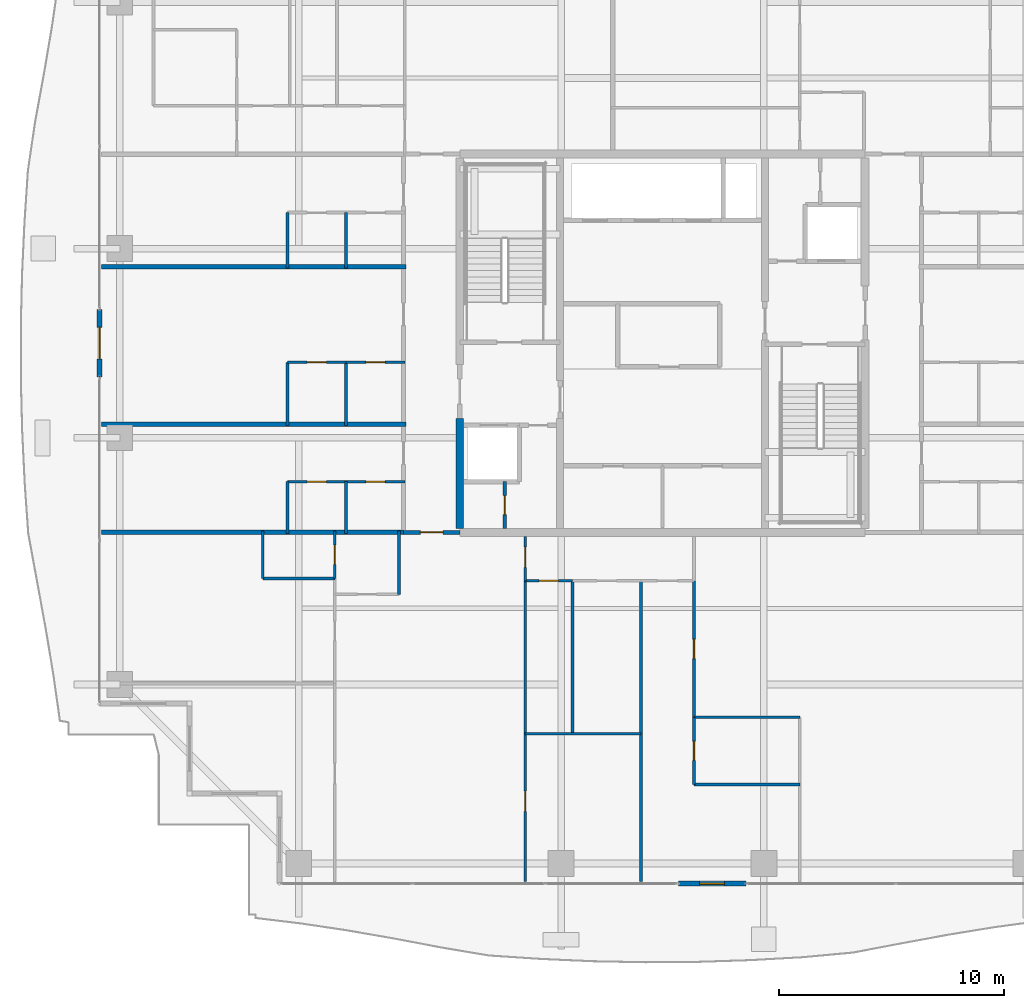
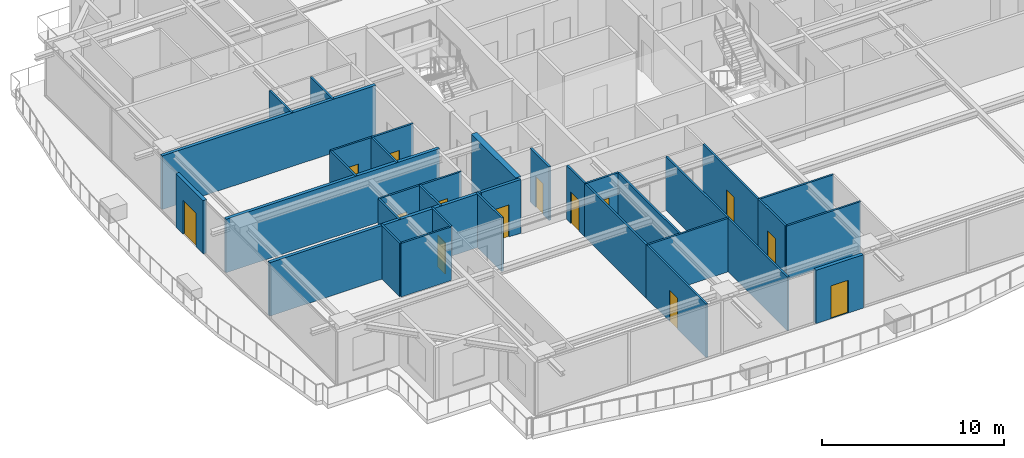
# One storey, part 25 of 36: 33 walls, 14 doors, 14 openings.
"""IFC4 building model written with IfcOpenShell, lengths in metres."""

from ifc_helpers import new_model, si_unit, direction, frame, frame_2d, origin, place, context, subcontext, project, spatial, rectangle, extrude, source, transform, mapped, material, layer, layer_set, type_object, element, fill, save


model = new_model("IFC4")

# Units and contexts
model_context = context("Model", 3, precision=1e-05, world=origin(), true_north=direction((0.0, 1.0)))
body_context = subcontext(model_context, "Body", "Model", "MODEL_VIEW")
ifc_project = project(units=[si_unit("LENGTHUNIT", "METRE"), si_unit("AREAUNIT", "SQUARE_METRE"), si_unit("VOLUMEUNIT", "CUBIC_METRE"), si_unit("PLANEANGLEUNIT", "RADIAN"), si_unit("MASSUNIT", "GRAM", prefix="KILO")], contexts=[model_context])

# Site, building, storey
site_placement = place(None, origin())
site = spatial("IfcSite", under=ifc_project, at=site_placement, CompositionType="ELEMENT")
building_placement = place(site_placement, origin())
building = spatial("IfcBuilding", under=site, at=building_placement, Name="Serunith Strait Residences", CompositionType="ELEMENT")
storey_placement = place(building_placement, frame((0.0, 0.0, 256.64990234375)))
storey = spatial("IfcBuildingStorey", under=building, at=storey_placement, Name="L64", CompositionType="ELEMENT", Elevation=256.64990234375)

# Wall, opening, door
ifc_material_1 = material(Name="Pale-Champagne Aluminium Insulated Panel", Category="aluminium")
ifc_layer_1 = layer(ifc_material_1, 0.219970703125, Name="Pale-Champagne Aluminium Insulated Panel")
ifc_layer_set_1 = layer_set([ifc_layer_1], Name="Pale-Champagne Aluminium Insulated Panel")
wall_type_1 = type_object("IfcWallType", Name="EW-ALUM-220", PredefinedType="ELEMENTEDWALL", material=ifc_layer_set_1)
wall_1_placement = place(storey_placement, frame((33.10009765625, 1.199951171875, 0.0), z_axis=(0.0, 0.0, 1.0), x_axis=(1.0, 0.0, 0.0)))
wall_1 = element("IfcWall", 1, at=wall_1_placement, inside=storey, type_object=wall_type_1, Name="L64 S Facade Pier Wall", PredefinedType="ELEMENTEDWALL", context=body_context, shape_type="SweptSolid", body=[
    extrude(rectangle(XDim=3.0, YDim=0.219970703125, at=frame_2d((1.5, 0.0))), origin(), (0.0, 0.0, 1.0), 3.5751953125),
])
opening_1_placement = place(wall_1_placement, frame((0.949951171875, 0.0, 0.0)))
opening_1 = element("IfcOpeningElement", 2, at=opening_1_placement, cuts=wall_1, Name="Opening ED-03", PredefinedType="OPENING", context=body_context, shape_type="SweptSolid", body=[
    extrude(rectangle(XDim=1.10009765625, YDim=2.199951171875, at=frame_2d((0.550048828125, 1.10009765625))), frame((0.0, 0.1201171875, 0.0), z_axis=(0.0, -1.0, 0.0), x_axis=(1.0, 0.0, 0.0)), (0.0, 0.0, 1.0), 0.239990234375),
])
ifc_material_2 = material(Name="Thermally-Broken Aluminium Glazed Balcony Door", Category="aluminium")
door_type_1 = type_object("IfcDoorType", Name="ED-BALC-1100", OperationType="NOTDEFINED", PredefinedType="DOOR", material=ifc_material_2)
shared_shape_1 = source(origin(), body_context, "Body", "SweptSolid", [
    extrude(rectangle(XDim=1.10009765625, YDim=2.199951171875, at=frame_2d((0.550048828125, 1.10009765625))), frame((0.0, 0.02490234375, 0.0), z_axis=(0.0, -1.0, 0.0), x_axis=(1.0, 0.0, 0.0)), (0.0, 0.0, 1.0), 0.050048828125),
])
door_1_placement = place(opening_1_placement, origin())
door_1 = element("IfcDoor", 3, at=door_1_placement, inside=storey, type_object=door_type_1, Name="L64 S Vertical-Forest Balcony Door", OperationType="SINGLE_SWING_LEFT", OverallHeight=2.199951171875, OverallWidth=1.10009765625, PredefinedType="DOOR", context=body_context, shape_type="MappedRepresentation", body=[
    mapped(shared_shape_1, transform((0.0, 0.0, 0.0), scale=1.0)),
])
fill(opening_1, door_1)

wall_2_placement = place(storey_placement, frame((7.39990234375, 26.699951171875, 0.0), z_axis=(0.0, 0.0, 1.0), x_axis=(0.0, -1.0, 0.0)))
wall_2 = element("IfcWall", 4, at=wall_2_placement, inside=storey, type_object=wall_type_1, Name="L64 W Facade Pier Wall", PredefinedType="ELEMENTEDWALL", context=body_context, shape_type="SweptSolid", body=[
    extrude(rectangle(XDim=3.0, YDim=0.219970703125, at=frame_2d((1.5, 0.0))), origin(), (0.0, 0.0, 1.0), 3.5751953125),
])
opening_2_placement = place(wall_2_placement, frame((0.800048828125, 0.0, 0.0)))
opening_2 = element("IfcOpeningElement", 5, at=opening_2_placement, cuts=wall_2, Name="Opening ED-04", PredefinedType="OPENING", context=body_context, shape_type="SweptSolid", body=[
    extrude(rectangle(XDim=1.39990234375, YDim=2.25, at=frame_2d((0.699951171875, 1.125))), frame((0.0, 0.1201171875, 0.0), z_axis=(0.0, -1.0, 0.0), x_axis=(1.0, 0.0, 0.0)), (0.0, 0.0, 1.0), 0.239990234375),
])
ifc_material_3 = material(Name="Thermally-Broken Aluminium Sliding Balcony Door", Category="aluminium")
door_type_2 = type_object("IfcDoorType", Name="ED-BALC-1400", OperationType="NOTDEFINED", PredefinedType="DOOR", material=ifc_material_3)
shared_shape_2 = source(origin(), body_context, "Body", "SweptSolid", [
    extrude(rectangle(XDim=1.39990234375, YDim=2.25, at=frame_2d((0.699951171875, 1.125))), frame((0.0, 0.02490234375, 0.0), z_axis=(0.0, -1.0, 0.0), x_axis=(1.0, 0.0, 0.0)), (0.0, 0.0, 1.0), 0.050048828125),
])
door_2_placement = place(opening_2_placement, origin())
door_2 = element("IfcDoor", 6, at=door_2_placement, inside=storey, type_object=door_type_2, Name="L64 W Vertical-Forest Balcony Door", OperationType="SLIDING_TO_LEFT", OverallHeight=2.25, OverallWidth=1.39990234375, PredefinedType="DOOR", context=body_context, shape_type="MappedRepresentation", body=[
    mapped(shared_shape_2, transform((0.0, 0.0, 0.0), scale=1.0)),
])
fill(opening_2, door_2)

ifc_material_4 = material(Name="Fire-rated masonry service closet wall", Category="masonry")
ifc_layer_2 = layer(ifc_material_4, 0.14990234375, Name="Fire-rated masonry service closet wall")
ifc_layer_set_2 = layer_set([ifc_layer_2], Name="Fire-rated masonry service closet wall")
wall_type_2 = type_object("IfcWallType", Name="IW-BOH-150", PredefinedType="PARTITIONING", material=ifc_layer_set_2)
wall_3_placement = place(storey_placement, frame((25.39990234375, 16.97509765625, 0.0), z_axis=(0.0, 0.0, 1.0), x_axis=(0.0, 1.0, 0.0)))
wall_3 = element("IfcWall", 7, at=wall_3_placement, inside=storey, type_object=wall_type_2, Name="L64 Partition Wall 011", PredefinedType="PARTITIONING", context=body_context, shape_type="SweptSolid", body=[
    extrude(rectangle(XDim=2.074951171875, YDim=0.14990234375, at=frame_2d((1.03759765625, 0.0))), origin(), (0.0, 0.0, 1.0), 3.590087890625),
])
opening_3_placement = place(wall_3_placement, frame((0.612060546875, 0.0, 0.0)))
opening_3 = element("IfcOpeningElement", 8, at=opening_3_placement, cuts=wall_3, Name="Opening FD-850", PredefinedType="OPENING", context=body_context, shape_type="SweptSolid", body=[
    extrude(rectangle(XDim=0.85009765625, YDim=2.10009765625, at=frame_2d((0.425048828125, 1.050048828125))), frame((0.0, 0.0849609375, 0.0), z_axis=(0.0, -1.0, 0.0), x_axis=(1.0, 0.0, 0.0)), (0.0, 0.0, 1.0), 0.169921875),
])
ifc_material_5 = material(Name="Powder-coated steel service closet door", Category="steel")
door_type_3 = type_object("IfcDoorType", Name="FD-BOH-850", OperationType="NOTDEFINED", PredefinedType="DOOR", material=ifc_material_5)
shared_shape_3 = source(origin(), body_context, "Body", "SweptSolid", [
    extrude(rectangle(XDim=0.85009765625, YDim=2.10009765625, at=frame_2d((0.425048828125, 1.050048828125))), frame((0.0, 0.02490234375, 0.0), z_axis=(0.0, -1.0, 0.0), x_axis=(1.0, 0.0, 0.0)), (0.0, 0.0, 1.0), 0.050048828125),
])
door_3_placement = place(opening_3_placement, origin())
door_3 = element("IfcDoor", 9, at=door_3_placement, inside=storey, type_object=door_type_3, Name="L64 Sprinkler Plant Door", OperationType="SINGLE_SWING_LEFT", OverallHeight=2.10009765625, OverallWidth=0.85009765625, PredefinedType="DOOR", context=body_context, shape_type="MappedRepresentation", body=[
    mapped(shared_shape_3, transform((0.0, 0.0, 0.0), scale=1.0)),
])
fill(opening_3, door_3)

ifc_material_6 = material(Name="Fire-rated acoustic gypsum partition")
ifc_layer_3 = layer(ifc_material_6, 0.179931640625, Name="Fire-rated acoustic gypsum partition")
ifc_layer_set_3 = layer_set([ifc_layer_3], Name="Fire-rated acoustic gypsum partition")
wall_type_3 = type_object("IfcWallType", Name="IW-CORR-180", PredefinedType="PARTITIONING", material=ifc_layer_set_3)
wall_4_placement = place(storey_placement, frame((20.902099609375, 16.800048828125, 0.0), z_axis=(0.0, 0.0, 1.0), x_axis=(1.0, 0.0, 0.0)))
wall_4 = element("IfcWall", 10, at=wall_4_placement, inside=storey, type_object=wall_type_3, Name="L64 Partition Wall 029", PredefinedType="PARTITIONING", context=body_context, shape_type="SweptSolid", body=[
    extrude(rectangle(XDim=2.495849609375, YDim=0.179931640625, at=frame_2d((1.248046875, 0.0))), origin(), (0.0, 0.0, 1.0), 3.590087890625),
])
opening_4_placement = place(wall_4_placement, frame((0.748046875, 0.0, 0.0)))
opening_4 = element("IfcOpeningElement", 11, at=opening_4_placement, cuts=wall_4, Name="Opening D-APT1000", PredefinedType="OPENING", context=body_context, shape_type="SweptSolid", body=[
    extrude(rectangle(XDim=1.0, YDim=2.14990234375, at=frame_2d((0.5, 1.074951171875))), frame((0.0, 0.10009765625, 0.0), z_axis=(0.0, -1.0, 0.0), x_axis=(1.0, 0.0, 0.0)), (0.0, 0.0, 1.0), 0.199951171875),
])
ifc_material_7 = material(Name="Solid timber engineered fire door", Category="wood")
door_type_4 = type_object("IfcDoorType", Name="ID-APT-1000", OperationType="NOTDEFINED", PredefinedType="DOOR", material=ifc_material_7)
shared_shape_4 = source(origin(), body_context, "Body", "SweptSolid", [
    extrude(rectangle(XDim=1.0, YDim=2.14990234375, at=frame_2d((0.5, 1.074951171875))), frame((0.0, 0.02490234375, 0.0), z_axis=(0.0, -1.0, 0.0), x_axis=(1.0, 0.0, 0.0)), (0.0, 0.0, 1.0), 0.050048828125),
])
door_4_placement = place(opening_4_placement, origin())
door_4 = element("IfcDoor", 12, at=door_4_placement, inside=storey, type_object=door_type_4, Name="L64 Unit 01 Entrance Door", OperationType="SINGLE_SWING_RIGHT", OverallHeight=2.14990234375, OverallWidth=1.0, PredefinedType="DOOR", context=body_context, shape_type="MappedRepresentation", body=[
    mapped(shared_shape_4, transform((0.0, 0.0, 0.0), scale=1.0)),
])
fill(opening_4, door_4)

# Walls
ifc_material_8 = material(Name="Lightweight steel-stud gypsum partition", Category="steel")
ifc_layer_4 = layer(ifc_material_8, 0.1201171875, Name="Lightweight steel-stud gypsum partition")
ifc_layer_set_4 = layer_set([ifc_layer_4], Name="Lightweight steel-stud gypsum partition")
wall_type_4 = type_object("IfcWallType", Name="IW-PART-120", PredefinedType="PARTITIONING", material=ifc_layer_set_4)
wall_5_placement = place(storey_placement, frame((20.699951171875, 14.050048828125, 0.0), z_axis=(0.0, 0.0, 1.0), x_axis=(0.0, 1.0, 0.0)))
element("IfcWall", 13, at=wall_5_placement, inside=storey, type_object=wall_type_4, Name="L64 Partition Wall 036", PredefinedType="PARTITIONING", context=body_context, shape_type="SweptSolid", body=[
    extrude(rectangle(XDim=2.81005859375, YDim=0.1201171875, at=frame_2d((1.405029296875, 0.0))), origin(), (0.0, 0.0, 1.0), 3.590087890625),
])
wall_6_placement = place(storey_placement, frame((14.64990234375, 14.75, 0.0), z_axis=(0.0, 0.0, 1.0), x_axis=(1.0, 0.0, 0.0)))
element("IfcWall", 14, at=wall_6_placement, inside=storey, type_object=wall_type_4, Name="L64 Partition Wall 039", PredefinedType="PARTITIONING", context=body_context, shape_type="SweptSolid", body=[
    extrude(rectangle(XDim=3.2001953125, YDim=0.1201171875, at=frame_2d((1.60009765625, 0.0))), origin(), (0.0, 0.0, 1.0), 3.590087890625),
])
wall_7_placement = place(storey_placement, frame((14.64990234375, 14.75, 0.0), z_axis=(0.0, 0.0, 1.0), x_axis=(0.0, 1.0, 0.0)))
element("IfcWall", 15, at=wall_7_placement, inside=storey, type_object=wall_type_4, Name="L64 Partition Wall 040", PredefinedType="PARTITIONING", context=body_context, shape_type="SweptSolid", body=[
    extrude(rectangle(XDim=2.110107421875, YDim=0.1201171875, at=frame_2d((1.05517578125, 0.0))), origin(), (0.0, 0.0, 1.0), 3.590087890625),
])

# Wall, opening, door
wall_8_placement = place(storey_placement, frame((17.85009765625, 14.751953125, 0.0), z_axis=(0.0, 0.0, 1.0), x_axis=(0.0, 1.0, 0.0)))
wall_8 = element("IfcWall", 16, at=wall_8_placement, inside=storey, type_object=wall_type_4, Name="L64 Partition Wall 042", PredefinedType="PARTITIONING", context=body_context, shape_type="SweptSolid", body=[
    extrude(rectangle(XDim=2.108154296875, YDim=0.1201171875, at=frame_2d((1.05419921875, 0.0))), origin(), (0.0, 0.0, 1.0), 3.590087890625),
])
opening_5_placement = place(wall_8_placement, frame((0.62890625, 0.0, 0.0)))
opening_5 = element("IfcOpeningElement", 17, at=opening_5_placement, cuts=wall_8, Name="Opening D-BTH850", PredefinedType="OPENING", context=body_context, shape_type="SweptSolid", body=[
    extrude(rectangle(XDim=0.85009765625, YDim=2.10009765625, at=frame_2d((0.425048828125, 1.050048828125))), frame((0.0, 0.070068359375, 0.0), z_axis=(0.0, -1.0, 0.0), x_axis=(1.0, 0.0, 0.0)), (0.0, 0.0, 1.0), 0.14013671875),
])
ifc_material_9 = material(Name="Moisture-resistant timber bathroom door", Category="wood")
door_type_5 = type_object("IfcDoorType", Name="ID-BATH-850", OperationType="NOTDEFINED", PredefinedType="DOOR", material=ifc_material_9)
door_5_placement = place(opening_5_placement, origin())
door_5 = element("IfcDoor", 18, at=door_5_placement, inside=storey, type_object=door_type_5, Name="L64 Bathroom 6401 Door", OperationType="SINGLE_SWING_RIGHT", OverallHeight=2.10009765625, OverallWidth=0.85009765625, PredefinedType="DOOR", context=body_context, shape_type="MappedRepresentation", body=[
    mapped(shared_shape_3, transform((0.0, 0.0, 0.0), scale=1.0)),
])
fill(opening_5, door_5)

wall_9_placement = place(storey_placement, frame((26.300048828125, 14.64990234375, 0.0), z_axis=(0.0, 0.0, 1.0), x_axis=(0.0, 1.0, 0.0)))
wall_9 = element("IfcWall", 19, at=wall_9_placement, inside=storey, type_object=wall_type_4, Name="L64 Partition Wall 043", PredefinedType="PARTITIONING", context=body_context, shape_type="SweptSolid", body=[
    extrude(rectangle(XDim=1.97509765625, YDim=0.1201171875, at=frame_2d((0.987548828125, 0.0))), origin(), (0.0, 0.0, 1.0), 3.590087890625),
])
opening_6_placement = place(wall_9_placement, frame((0.60107421875, 0.0, 0.0)))
opening_6 = element("IfcOpeningElement", 20, at=opening_6_placement, cuts=wall_9, Name="Opening D-RM900", PredefinedType="OPENING", context=body_context, shape_type="SweptSolid", body=[
    extrude(rectangle(XDim=0.89990234375, YDim=2.10009765625, at=frame_2d((0.449951171875, 1.050048828125))), frame((0.0, 0.070068359375, 0.0), z_axis=(0.0, -1.0, 0.0), x_axis=(1.0, 0.0, 0.0)), (0.0, 0.0, 1.0), 0.14013671875),
])
ifc_material_10 = material(Name="Engineered timber flush bedroom door", Category="wood")
door_type_6 = type_object("IfcDoorType", Name="ID-ROOM-900", OperationType="NOTDEFINED", PredefinedType="DOOR", material=ifc_material_10)
shared_shape_5 = source(origin(), body_context, "Body", "SweptSolid", [
    extrude(rectangle(XDim=0.89990234375, YDim=2.10009765625, at=frame_2d((0.449951171875, 1.050048828125))), frame((0.0, 0.02490234375, 0.0), z_axis=(0.0, -1.0, 0.0), x_axis=(1.0, 0.0, 0.0)), (0.0, 0.0, 1.0), 0.050048828125),
])
door_6_placement = place(opening_6_placement, origin())
door_6 = element("IfcDoor", 21, at=door_6_placement, inside=storey, type_object=door_type_6, Name="L64 Hall E 6401 Door", OperationType="SINGLE_SWING_LEFT", OverallHeight=2.10009765625, OverallWidth=0.89990234375, PredefinedType="DOOR", context=body_context, shape_type="MappedRepresentation", body=[
    mapped(shared_shape_5, transform((0.0, 0.0, 0.0), scale=1.0)),
])
fill(opening_6, door_6)

wall_10_placement = place(storey_placement, frame((26.300048828125, 1.294921875, 0.0), z_axis=(0.0, 0.0, 1.0), x_axis=(0.0, 1.0, 0.0)))
wall_10 = element("IfcWall", 22, at=wall_10_placement, inside=storey, type_object=wall_type_4, Name="L64 Partition Wall 044", PredefinedType="PARTITIONING", context=body_context, shape_type="SweptSolid", body=[
    extrude(rectangle(XDim=6.565185546875, YDim=0.1201171875, at=frame_2d((3.28271484375, 0.0))), origin(), (0.0, 0.0, 1.0), 3.590087890625),
])
opening_7_placement = place(wall_10_placement, frame((3.115966796875, 0.0, 0.0)))
opening_7 = element("IfcOpeningElement", 23, at=opening_7_placement, cuts=wall_10, Name="Opening D-RM900", PredefinedType="OPENING", context=body_context, shape_type="SweptSolid", body=[
    extrude(rectangle(XDim=0.89990234375, YDim=2.10009765625, at=frame_2d((0.449951171875, 1.050048828125))), frame((0.0, 0.070068359375, 0.0), z_axis=(0.0, -1.0, 0.0), x_axis=(1.0, 0.0, 0.0)), (0.0, 0.0, 1.0), 0.14013671875),
])
door_7_placement = place(opening_7_placement, origin())
door_7 = element("IfcDoor", 24, at=door_7_placement, inside=storey, type_object=door_type_6, Name="L64 Formal Dining Room 2 6401 Door", OperationType="SINGLE_SWING_RIGHT", OverallHeight=2.10009765625, OverallWidth=0.89990234375, PredefinedType="DOOR", context=body_context, shape_type="MappedRepresentation", body=[
    mapped(shared_shape_5, transform((0.0, 0.0, 0.0), scale=1.0)),
])
fill(opening_7, door_7)

# Walls
wall_11_placement = place(storey_placement, frame((26.300048828125, 7.862060546875, 0.0), z_axis=(0.0, 0.0, 1.0), x_axis=(0.0, 1.0, 0.0)))
element("IfcWall", 25, at=wall_11_placement, inside=storey, type_object=wall_type_4, Name="L64 Partition Wall 045", PredefinedType="PARTITIONING", context=body_context, shape_type="SweptSolid", body=[
    extrude(rectangle(XDim=6.785888671875, YDim=0.1201171875, at=frame_2d((3.39306640625, 0.0))), origin(), (0.0, 0.0, 1.0), 3.590087890625),
])
wall_12_placement = place(storey_placement, frame((26.300048828125, 7.860107421875, 0.0), z_axis=(0.0, 0.0, 1.0), x_axis=(1.0, 0.0, 0.0)))
element("IfcWall", 26, at=wall_12_placement, inside=storey, type_object=wall_type_4, Name="L64 Partition Wall 046", PredefinedType="PARTITIONING", context=body_context, shape_type="SweptSolid", body=[
    extrude(rectangle(XDim=5.14990234375, YDim=0.1201171875, at=frame_2d((2.574951171875, 0.0))), origin(), (0.0, 0.0, 1.0), 3.590087890625),
])
wall_13_placement = place(storey_placement, frame((31.449951171875, 1.294921875, 0.0), z_axis=(0.0, 0.0, 1.0), x_axis=(0.0, 1.0, 0.0)))
element("IfcWall", 27, at=wall_13_placement, inside=storey, type_object=wall_type_4, Name="L64 Partition Wall 047", PredefinedType="PARTITIONING", context=body_context, shape_type="SweptSolid", body=[
    extrude(rectangle(XDim=13.35498046875, YDim=0.1201171875, at=frame_2d((6.677490234375, 0.0))), origin(), (0.0, 0.0, 1.0), 3.590087890625),
])
wall_14_placement = place(storey_placement, frame((28.39990234375, 7.860107421875, 0.0), z_axis=(0.0, 0.0, 1.0), x_axis=(0.0, 1.0, 0.0)))
element("IfcWall", 28, at=wall_14_placement, inside=storey, type_object=wall_type_4, Name="L64 Partition Wall 048", PredefinedType="PARTITIONING", context=body_context, shape_type="SweptSolid", body=[
    extrude(rectangle(XDim=6.789794921875, YDim=0.1201171875, at=frame_2d((3.39501953125, 0.0))), origin(), (0.0, 0.0, 1.0), 3.590087890625),
])

# Wall, opening, door
wall_15_placement = place(storey_placement, frame((26.300048828125, 14.64990234375, 0.0), z_axis=(0.0, 0.0, 1.0), x_axis=(1.0, 0.0, 0.0)))
wall_15 = element("IfcWall", 29, at=wall_15_placement, inside=storey, type_object=wall_type_4, Name="L64 Partition Wall 049", PredefinedType="PARTITIONING", context=body_context, shape_type="SweptSolid", body=[
    extrude(rectangle(XDim=2.099853515625, YDim=0.1201171875, at=frame_2d((1.0498046875, 0.0))), origin(), (0.0, 0.0, 1.0), 3.590087890625),
])
opening_8_placement = place(wall_15_placement, frame((0.625, 0.0, 0.0)))
opening_8 = element("IfcOpeningElement", 30, at=opening_8_placement, cuts=wall_15, Name="Opening D-RM850", PredefinedType="OPENING", context=body_context, shape_type="SweptSolid", body=[
    extrude(rectangle(XDim=0.85009765625, YDim=2.10009765625, at=frame_2d((0.425048828125, 1.050048828125))), frame((0.0, 0.070068359375, 0.0), z_axis=(0.0, -1.0, 0.0), x_axis=(1.0, 0.0, 0.0)), (0.0, 0.0, 1.0), 0.14013671875),
])
ifc_material_11 = material(Name="Engineered timber flush study and kitchen door", Category="wood")
door_type_7 = type_object("IfcDoorType", Name="ID-ROOM-850", OperationType="NOTDEFINED", PredefinedType="DOOR", material=ifc_material_11)
door_8_placement = place(opening_8_placement, origin())
door_8 = element("IfcDoor", 31, at=door_8_placement, inside=storey, type_object=door_type_7, Name="L64 Study 6401 Door", OperationType="SINGLE_SWING_LEFT", OverallHeight=2.10009765625, OverallWidth=0.85009765625, PredefinedType="DOOR", context=body_context, shape_type="MappedRepresentation", body=[
    mapped(shared_shape_3, transform((0.0, 0.0, 0.0), scale=1.0)),
])
fill(opening_8, door_8)

# Walls
for number, where, z_axis, x_axis, name in (
    (32, (33.800048828125, 5.60888671875, 0.0), (0.0, 0.0, 1.0), (1.0, 0.0, 0.0), "L64 Partition Wall 052"),
    (33, (33.800048828125, 8.587890625, 0.0), (0.0, 0.0, 1.0), (1.0, 0.0, 0.0), "L64 Partition Wall 054"),
):
    element("IfcWall", number, at=place(storey_placement, frame(where, z_axis=z_axis, x_axis=x_axis)), inside=storey, type_object=wall_type_4, Name=name, PredefinedType="PARTITIONING", context=body_context, shape_type="SweptSolid", body=[
        extrude(rectangle(XDim=4.699951171875, YDim=0.1201171875, at=frame_2d((2.35009765625, 0.0))), origin(), (0.0, 0.0, 1.0), 3.590087890625),
    ])

# Wall, opening, door
wall_16_placement = place(storey_placement, frame((33.800048828125, 5.60888671875, 0.0), z_axis=(0.0, 0.0, 1.0), x_axis=(0.0, 1.0, 0.0)))
wall_16 = element("IfcWall", 34, at=wall_16_placement, inside=storey, type_object=wall_type_4, Name="L64 Partition Wall 055", PredefinedType="PARTITIONING", context=body_context, shape_type="SweptSolid", body=[
    extrude(rectangle(XDim=2.97900390625, YDim=0.1201171875, at=frame_2d((1.489501953125, 0.0))), origin(), (0.0, 0.0, 1.0), 3.590087890625),
])
opening_9_placement = place(wall_16_placement, frame((1.06396484375, 0.0, 0.0)))
opening_9 = element("IfcOpeningElement", 35, at=opening_9_placement, cuts=wall_16, Name="Opening D-BTH850", PredefinedType="OPENING", context=body_context, shape_type="SweptSolid", body=[
    extrude(rectangle(XDim=0.85009765625, YDim=2.10009765625, at=frame_2d((0.425048828125, 1.050048828125))), frame((0.0, 0.070068359375, 0.0), z_axis=(0.0, -1.0, 0.0), x_axis=(1.0, 0.0, 0.0)), (0.0, 0.0, 1.0), 0.14013671875),
])
door_9_placement = place(opening_9_placement, origin())
door_9 = element("IfcDoor", 36, at=door_9_placement, inside=storey, type_object=door_type_5, Name="L64 En-suite Bathroom E 6401 Door", OperationType="SINGLE_SWING_RIGHT", OverallHeight=2.10009765625, OverallWidth=0.85009765625, PredefinedType="DOOR", context=body_context, shape_type="MappedRepresentation", body=[
    mapped(shared_shape_3, transform((0.0, 0.0, 0.0), scale=1.0)),
])
fill(opening_9, door_9)

wall_17_placement = place(storey_placement, frame((33.800048828125, 8.590087890625, 0.0), z_axis=(0.0, 0.0, 1.0), x_axis=(0.0, 1.0, 0.0)))
wall_17 = element("IfcWall", 37, at=wall_17_placement, inside=storey, type_object=wall_type_4, Name="L64 Partition Wall 056", PredefinedType="PARTITIONING", context=body_context, shape_type="SweptSolid", body=[
    extrude(rectangle(XDim=6.059814453125, YDim=0.1201171875, at=frame_2d((3.02978515625, 0.0))), origin(), (0.0, 0.0, 1.0), 3.590087890625),
])
opening_10_placement = place(wall_17_placement, frame((2.60498046875, 0.0, 0.0)))
opening_10 = element("IfcOpeningElement", 38, at=opening_10_placement, cuts=wall_17, Name="Opening D-RM850", PredefinedType="OPENING", context=body_context, shape_type="SweptSolid", body=[
    extrude(rectangle(XDim=0.85009765625, YDim=2.10009765625, at=frame_2d((0.425048828125, 1.050048828125))), frame((0.0, 0.070068359375, 0.0), z_axis=(0.0, -1.0, 0.0), x_axis=(1.0, 0.0, 0.0)), (0.0, 0.0, 1.0), 0.14013671875),
])
door_10_placement = place(opening_10_placement, origin())
door_10 = element("IfcDoor", 39, at=door_10_placement, inside=storey, type_object=door_type_7, Name="L64 Wardrobe E 6401 Door", OperationType="SINGLE_SWING_LEFT", OverallHeight=2.10009765625, OverallWidth=0.85009765625, PredefinedType="DOOR", context=body_context, shape_type="MappedRepresentation", body=[
    mapped(shared_shape_3, transform((0.0, 0.0, 0.0), scale=1.0)),
])
fill(opening_10, door_10)

wall_18_placement = place(storey_placement, frame((15.75, 19.050048828125, 0.0), z_axis=(0.0, 0.0, 1.0), x_axis=(1.0, 0.0, 0.0)))
wall_18 = element("IfcWall", 40, at=wall_18_placement, inside=storey, type_object=wall_type_4, Name="L64 Partition Wall 085", PredefinedType="PARTITIONING", context=body_context, shape_type="SweptSolid", body=[
    extrude(rectangle(XDim=2.60009765625, YDim=0.1201171875, at=frame_2d((1.300048828125, 0.0))), origin(), (0.0, 0.0, 1.0), 3.590087890625),
])
opening_11_placement = place(wall_18_placement, frame((0.875, 0.0, 0.0)))
opening_11 = element("IfcOpeningElement", 41, at=opening_11_placement, cuts=wall_18, Name="Opening D-RM850", PredefinedType="OPENING", context=body_context, shape_type="SweptSolid", body=[
    extrude(rectangle(XDim=0.85009765625, YDim=2.10009765625, at=frame_2d((0.425048828125, 1.050048828125))), frame((0.0, 0.070068359375, 0.0), z_axis=(0.0, -1.0, 0.0), x_axis=(1.0, 0.0, 0.0)), (0.0, 0.0, 1.0), 0.14013671875),
])
door_11_placement = place(opening_11_placement, origin())
door_11 = element("IfcDoor", 42, at=door_11_placement, inside=storey, type_object=door_type_7, Name="L64 Kitchen 6404 Door", OperationType="SINGLE_SWING_RIGHT", OverallHeight=2.10009765625, OverallWidth=0.85009765625, PredefinedType="DOOR", context=body_context, shape_type="MappedRepresentation", body=[
    mapped(shared_shape_3, transform((0.0, 0.0, 0.0), scale=1.0)),
])
fill(opening_11, door_11)

wall_19_placement = place(storey_placement, frame((18.35205078125, 19.050048828125, 0.0), z_axis=(0.0, 0.0, 1.0), x_axis=(1.0, 0.0, 0.0)))
wall_19 = element("IfcWall", 43, at=wall_19_placement, inside=storey, type_object=wall_type_4, Name="L64 Partition Wall 086", PredefinedType="PARTITIONING", context=body_context, shape_type="SweptSolid", body=[
    extrude(rectangle(XDim=2.60791015625, YDim=0.1201171875, at=frame_2d((1.303955078125, 0.0))), origin(), (0.0, 0.0, 1.0), 3.590087890625),
])
opening_12_placement = place(wall_19_placement, frame((0.87890625, 0.0, 0.0)))
opening_12 = element("IfcOpeningElement", 44, at=opening_12_placement, cuts=wall_19, Name="Opening D-BTH850", PredefinedType="OPENING", context=body_context, shape_type="SweptSolid", body=[
    extrude(rectangle(XDim=0.85009765625, YDim=2.10009765625, at=frame_2d((0.425048828125, 1.050048828125))), frame((0.0, 0.070068359375, 0.0), z_axis=(0.0, -1.0, 0.0), x_axis=(1.0, 0.0, 0.0)), (0.0, 0.0, 1.0), 0.14013671875),
])
door_12_placement = place(opening_12_placement, origin())
door_12 = element("IfcDoor", 45, at=door_12_placement, inside=storey, type_object=door_type_5, Name="L64 Bathroom 6404 Door", OperationType="SINGLE_SWING_LEFT", OverallHeight=2.10009765625, OverallWidth=0.85009765625, PredefinedType="DOOR", context=body_context, shape_type="MappedRepresentation", body=[
    mapped(shared_shape_3, transform((0.0, 0.0, 0.0), scale=1.0)),
])
fill(opening_12, door_12)

# Walls
for number, where, z_axis, x_axis, name in (
    (46, (18.35009765625, 16.739990234375, 0.0), (0.0, 0.0, 1.0), (0.0, 1.0, 0.0), "L64 Partition Wall 087"),
    (47, (15.75, 16.739990234375, 0.0), (0.0, 0.0, 1.0), (0.0, 1.0, 0.0), "L64 Partition Wall 088"),
):
    element("IfcWall", number, at=place(storey_placement, frame(where, z_axis=z_axis, x_axis=x_axis)), inside=storey, type_object=wall_type_4, Name=name, PredefinedType="PARTITIONING", context=body_context, shape_type="SweptSolid", body=[
        extrude(rectangle(XDim=2.31005859375, YDim=0.1201171875, at=frame_2d((1.155029296875, 0.0))), origin(), (0.0, 0.0, 1.0), 3.590087890625),
    ])

# Wall, opening, door
wall_20_placement = place(storey_placement, frame((15.75, 24.35009765625, 0.0), z_axis=(0.0, 0.0, 1.0), x_axis=(1.0, 0.0, 0.0)))
wall_20 = element("IfcWall", 48, at=wall_20_placement, inside=storey, type_object=wall_type_4, Name="L64 Partition Wall 089", PredefinedType="PARTITIONING", context=body_context, shape_type="SweptSolid", body=[
    extrude(rectangle(XDim=2.60009765625, YDim=0.1201171875, at=frame_2d((1.300048828125, 0.0))), origin(), (0.0, 0.0, 1.0), 3.590087890625),
])
opening_13_placement = place(wall_20_placement, frame((0.875, 0.0, 0.0)))
opening_13 = element("IfcOpeningElement", 49, at=opening_13_placement, cuts=wall_20, Name="Opening D-RM850", PredefinedType="OPENING", context=body_context, shape_type="SweptSolid", body=[
    extrude(rectangle(XDim=0.85009765625, YDim=2.10009765625, at=frame_2d((0.425048828125, 1.050048828125))), frame((0.0, 0.070068359375, 0.0), z_axis=(0.0, -1.0, 0.0), x_axis=(1.0, 0.0, 0.0)), (0.0, 0.0, 1.0), 0.14013671875),
])
door_13_placement = place(opening_13_placement, origin())
door_13 = element("IfcDoor", 50, at=door_13_placement, inside=storey, type_object=door_type_7, Name="L64 Kitchen 6405 Door", OperationType="SINGLE_SWING_RIGHT", OverallHeight=2.10009765625, OverallWidth=0.85009765625, PredefinedType="DOOR", context=body_context, shape_type="MappedRepresentation", body=[
    mapped(shared_shape_3, transform((0.0, 0.0, 0.0), scale=1.0)),
])
fill(opening_13, door_13)

wall_21_placement = place(storey_placement, frame((18.35205078125, 24.35009765625, 0.0), z_axis=(0.0, 0.0, 1.0), x_axis=(1.0, 0.0, 0.0)))
wall_21 = element("IfcWall", 51, at=wall_21_placement, inside=storey, type_object=wall_type_4, Name="L64 Partition Wall 090", PredefinedType="PARTITIONING", context=body_context, shape_type="SweptSolid", body=[
    extrude(rectangle(XDim=2.60791015625, YDim=0.1201171875, at=frame_2d((1.303955078125, 0.0))), origin(), (0.0, 0.0, 1.0), 3.590087890625),
])
opening_14_placement = place(wall_21_placement, frame((0.87890625, 0.0, 0.0)))
opening_14 = element("IfcOpeningElement", 52, at=opening_14_placement, cuts=wall_21, Name="Opening D-BTH850", PredefinedType="OPENING", context=body_context, shape_type="SweptSolid", body=[
    extrude(rectangle(XDim=0.85009765625, YDim=2.10009765625, at=frame_2d((0.425048828125, 1.050048828125))), frame((0.0, 0.070068359375, 0.0), z_axis=(0.0, -1.0, 0.0), x_axis=(1.0, 0.0, 0.0)), (0.0, 0.0, 1.0), 0.14013671875),
])
door_14_placement = place(opening_14_placement, origin())
door_14 = element("IfcDoor", 53, at=door_14_placement, inside=storey, type_object=door_type_5, Name="L64 Bathroom 6405 Door", OperationType="SINGLE_SWING_LEFT", OverallHeight=2.10009765625, OverallWidth=0.85009765625, PredefinedType="DOOR", context=body_context, shape_type="MappedRepresentation", body=[
    mapped(shared_shape_3, transform((0.0, 0.0, 0.0), scale=1.0)),
])
fill(opening_14, door_14)

# Walls
for number, where, z_axis, x_axis, name in (
    (54, (18.35009765625, 21.5400390625, 0.0), (0.0, 0.0, 1.0), (0.0, 1.0, 0.0), "L64 Partition Wall 091"),
    (55, (15.75, 21.5400390625, 0.0), (0.0, 0.0, 1.0), (0.0, 1.0, 0.0), "L64 Partition Wall 092"),
):
    element("IfcWall", number, at=place(storey_placement, frame(where, z_axis=z_axis, x_axis=x_axis)), inside=storey, type_object=wall_type_4, Name=name, PredefinedType="PARTITIONING", context=body_context, shape_type="SweptSolid", body=[
        extrude(rectangle(XDim=2.81005859375, YDim=0.1201171875, at=frame_2d((1.405029296875, 0.0))), origin(), (0.0, 0.0, 1.0), 3.590087890625),
    ])
for number, where, z_axis, x_axis, name in (
    (56, (18.35009765625, 28.5400390625, 0.0), (0.0, 0.0, 1.0), (0.0, 1.0, 0.0), "L64 Partition Wall 095"),
    (57, (15.75, 28.5400390625, 0.0), (0.0, 0.0, 1.0), (0.0, 1.0, 0.0), "L64 Partition Wall 096"),
):
    element("IfcWall", number, at=place(storey_placement, frame(where, z_axis=z_axis, x_axis=x_axis)), inside=storey, type_object=wall_type_4, Name=name, PredefinedType="PARTITIONING", context=body_context, shape_type="SweptSolid", body=[
        extrude(rectangle(XDim=2.4599609375, YDim=0.1201171875, at=frame_2d((1.22998046875, 0.0))), origin(), (0.0, 0.0, 1.0), 3.590087890625),
    ])
ifc_material_12 = material(Name="Twin-stud acoustic gypsum board partition")
ifc_layer_5 = layer(ifc_material_12, 0.199951171875, Name="Twin-stud acoustic gypsum board partition")
ifc_layer_set_5 = layer_set([ifc_layer_5], Name="Twin-stud acoustic gypsum board partition")
wall_type_5 = type_object("IfcWallType", Name="IW-PARTY-200", PredefinedType="PARTITIONING", material=ifc_layer_set_5)
for number, where, z_axis, x_axis, name in (
    (58, (7.48193359375, 21.60009765625, 0.0), (0.0, 0.0, 1.0), (1.0, 0.0, 0.0), "L64 Partition Wall 021"),
    (59, (7.48193359375, 28.60009765625, 0.0), (0.0, 0.0, 1.0), (1.0, 0.0, 0.0), "L64 Partition Wall 022"),
):
    element("IfcWall", number, at=place(storey_placement, frame(where, z_axis=z_axis, x_axis=x_axis)), inside=storey, type_object=wall_type_5, Name=name, PredefinedType="PARTITIONING", context=body_context, shape_type="SweptSolid", body=[
        extrude(rectangle(XDim=13.5380859375, YDim=0.199951171875, at=frame_2d((6.76904296875, 0.0))), origin(), (0.0, 0.0, 1.0), 3.590087890625),
    ])
wall_22_placement = place(storey_placement, frame((7.48193359375, 16.800048828125, 0.0), z_axis=(0.0, 0.0, 1.0), x_axis=(1.0, 0.0, 0.0)))
element("IfcWall", 60, at=wall_22_placement, inside=storey, type_object=wall_type_5, Name="L64 Partition Wall 025", PredefinedType="PARTITIONING", context=body_context, shape_type="SweptSolid", body=[
    extrude(rectangle(XDim=13.41796875, YDim=0.199951171875, at=frame_2d((6.708984375, 0.0))), origin(), (0.0, 0.0, 1.0), 3.590087890625),
])
ifc_material_13 = material(Name="Concrete C60/75", Category="concrete")
ifc_layer_6 = layer(ifc_material_13, 0.35009765625, Name="Concrete C60/75")
ifc_layer_set_6 = layer_set([ifc_layer_6], Name="Concrete C60/75")
wall_type_6 = type_object("IfcWallType", Name="SW-350-C60", PredefinedType="SHEAR", material=ifc_layer_set_6)
wall_23_placement = place(storey_placement, frame((23.39990234375, 16.97509765625, -0.260009765625), z_axis=(0.0, 0.0, 1.0), x_axis=(0.0, 1.0, 0.0)))
element("IfcWall", 61, at=wall_23_placement, inside=storey, type_object=wall_type_6, Name="L64 Core West Shear Wall South Pier", PredefinedType="SHEAR", context=body_context, shape_type="SweptSolid", body=[
    extrude(rectangle(XDim=4.875, YDim=0.35009765625, at=frame_2d((2.4375, 0.0))), origin(), (0.0, 0.0, 1.0), 3.84814453125),
])

save(model, "model.ifc")
